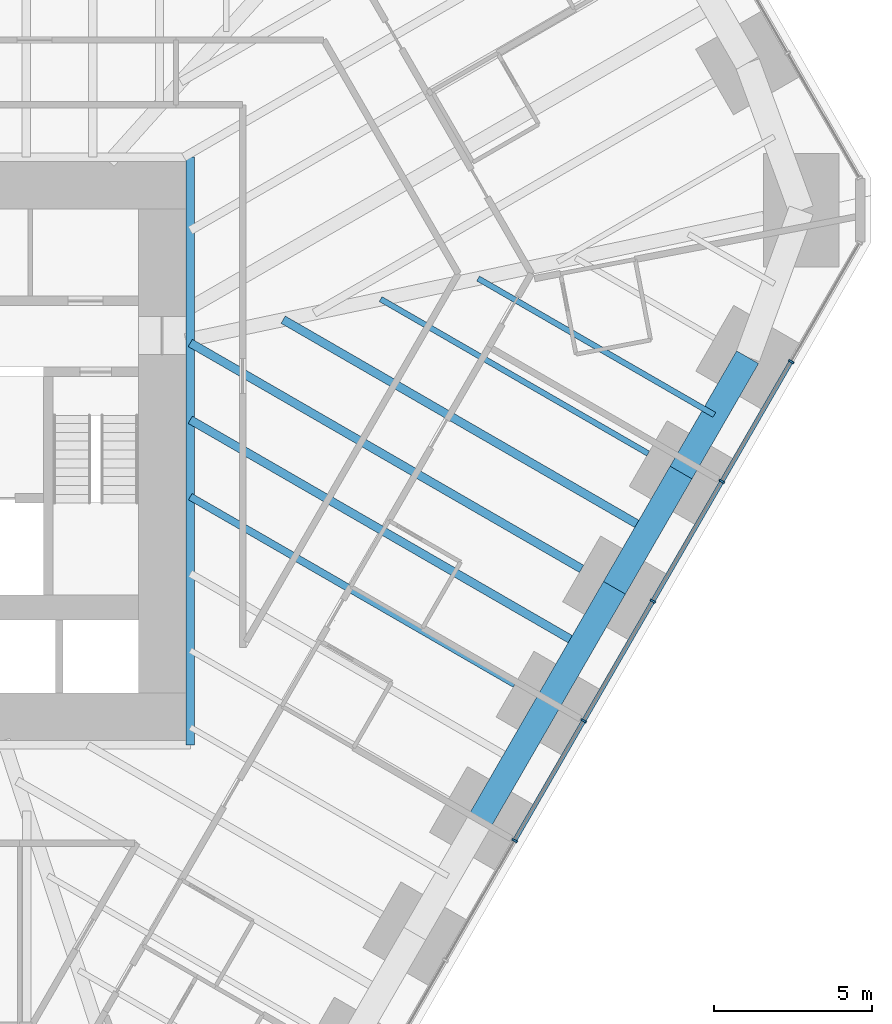
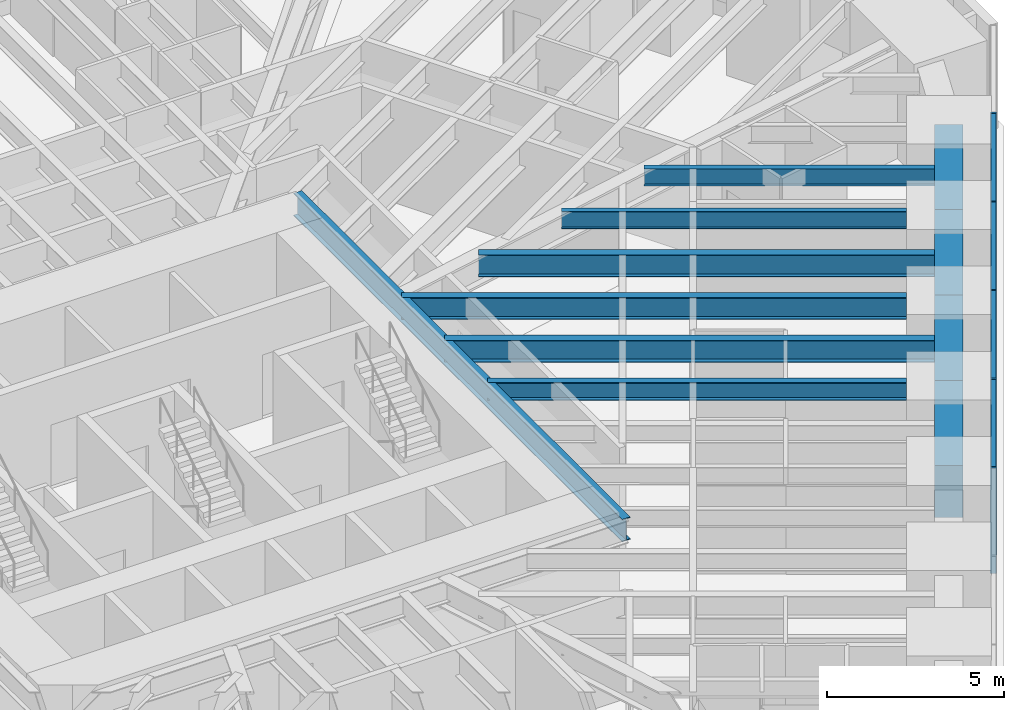
# One storey, part 6 of 17: 11 beams, 9 members, 1 element without a shape of its own.
"""IFC4 building model written with IfcOpenShell, lengths in metres."""

from ifc_helpers import new_model, si_unit, direction, frame, origin, origin_2d, place, context, subcontext, project, spatial, rectangle, i_section, extrude, material, material_profile, profile_set, type_object, element, aggregate, save


model = new_model("IFC4")

# Units and contexts
model_context = context("Model", 3, precision=1e-05, world=origin(), true_north=direction((0.0, 1.0)))
body_context = subcontext(model_context, "Body", "Model", "MODEL_VIEW")
ifc_project = project(units=[si_unit("LENGTHUNIT", "METRE"), si_unit("AREAUNIT", "SQUARE_METRE"), si_unit("VOLUMEUNIT", "CUBIC_METRE"), si_unit("PLANEANGLEUNIT", "RADIAN"), si_unit("MASSUNIT", "GRAM", prefix="KILO")], contexts=[model_context])

# Site, building, storey
site_placement = place(None, origin())
site = spatial("IfcSite", under=ifc_project, at=site_placement, CompositionType="ELEMENT")
building_placement = place(site_placement, origin())
building = spatial("IfcBuilding", under=site, at=building_placement, Name="Sandreach Pilgrim Tower", CompositionType="ELEMENT")
storey_placement = place(building_placement, frame((0.0, 0.0, 26.800048828125)))
storey = spatial("IfcBuildingStorey", under=building, at=storey_placement, Name="L05", CompositionType="ELEMENT", Elevation=26.800048828125)

# Curtain wall, members
ifc_material_1 = material(Name="Aluminium framed curtain wall", Category="aluminium")
curtain_wall_type = type_object("IfcCurtainWallType", Name="Hostel tower curtain wall", PredefinedType="NOTDEFINED", material=ifc_material_1)
curtain_wall_placement = place(storey_placement, origin())
curtain_wall = element("IfcCurtainWall", 1, at=curtain_wall_placement, inside=storey, type_object=curtain_wall_type, Name="CW-1 L05 SE", PredefinedType="NOTDEFINED")
ifc_material_2 = material(Name="Aluminium extrusion", Category="aluminium")
ifc_material_profile_1 = material_profile(ifc_material_2, rectangle(XDim=0.06494140625, YDim=0.179931640625, at=origin_2d()), Name="CW-1M 65X180")
ifc_profile_set_1 = profile_set([ifc_material_profile_1], Name="Aluminium extrusion")
member_type_1 = type_object("IfcMemberType", Name="CW-1 mullion", PredefinedType="MULLION", material=ifc_profile_set_1)
member_1_placement = place(storey_placement, frame((28.390380859375, 1.2763671875, 0.0), z_axis=(0.0, 0.0, 1.0), x_axis=(-0.5, -0.866025403784, 0.0)))
member_1 = element("IfcMember", 2, at=member_1_placement, type_object=member_type_1, Name="CW-1 mullion 2", PredefinedType="MULLION", context=body_context, shape_type="SweptSolid", body=[
    extrude(rectangle(XDim=0.06494140625, YDim=0.179931640625, at=origin_2d()), origin(), (0.0, 0.0, 1.0), 3.639892578125),
])
member_2_placement = place(storey_placement, frame((26.20458984375, -2.509521484375, 0.0), z_axis=(0.0, 0.0, 1.0), x_axis=(-0.5, -0.866025403784, 0.0)))
member_2 = element("IfcMember", 3, at=member_2_placement, type_object=member_type_1, Name="CW-1 mullion 3", PredefinedType="MULLION", context=body_context, shape_type="SweptSolid", body=[
    extrude(rectangle(XDim=0.06494140625, YDim=0.179931640625, at=origin_2d()), origin(), (0.0, 0.0, 1.0), 3.639892578125),
])
member_3_placement = place(storey_placement, frame((24.018798828125, -6.29541015625, 0.0), z_axis=(0.0, 0.0, 1.0), x_axis=(-0.5, -0.866025403784, 0.0)))
member_3 = element("IfcMember", 4, at=member_3_placement, type_object=member_type_1, Name="CW-1 mullion 4", PredefinedType="MULLION", context=body_context, shape_type="SweptSolid", body=[
    extrude(rectangle(XDim=0.06494140625, YDim=0.179931640625, at=origin_2d()), origin(), (0.0, 0.0, 1.0), 3.639892578125),
])
member_4_placement = place(storey_placement, frame((21.8330078125, -10.081298828125, 0.0), z_axis=(0.0, 0.0, 1.0), x_axis=(-0.5, -0.866025403784, 0.0)))
member_4 = element("IfcMember", 5, at=member_4_placement, type_object=member_type_1, Name="CW-1 mullion 5", PredefinedType="MULLION", context=body_context, shape_type="SweptSolid", body=[
    extrude(rectangle(XDim=0.06494140625, YDim=0.179931640625, at=origin_2d()), origin(), (0.0, 0.0, 1.0), 3.639892578125),
])
member_5_placement = place(storey_placement, frame((19.647216796875, -13.8671875, 0.0), z_axis=(0.0, 0.0, 1.0), x_axis=(-0.5, -0.866025403784, 0.0)))
member_5 = element("IfcMember", 6, at=member_5_placement, type_object=member_type_1, Name="CW-1 mullion 6", PredefinedType="MULLION", context=body_context, shape_type="SweptSolid", body=[
    extrude(rectangle(XDim=0.06494140625, YDim=0.179931640625, at=origin_2d()), origin(), (0.0, 0.0, 1.0), 3.639892578125),
])
ifc_material_3 = material(Name="Aluminium extrusion", Category="aluminium")
ifc_material_profile_2 = material_profile(ifc_material_3, rectangle(XDim=0.139892578125, YDim=0.070068359375, at=origin_2d()), Name="CW-1T 140X70")
ifc_profile_set_2 = profile_set([ifc_material_profile_2], Name="Aluminium extrusion")
member_type_2 = type_object("IfcMemberType", Name="CW-1 transom", PredefinedType="USERDEFINED", material=ifc_profile_set_2)
member_6_placement = place(storey_placement, frame((28.374267578125, 1.248046875, 3.60498046875), z_axis=(-0.500016891966, -0.866015650984, 0.0), x_axis=(0.866015650984, -0.500016891966, 0.0)))
member_6 = element("IfcMember", 7, at=member_6_placement, type_object=member_type_2, Name="CW-1 head transom 2", ObjectType="TRANSOM", PredefinedType="USERDEFINED", context=body_context, shape_type="SweptSolid", body=[
    extrude(rectangle(XDim=0.139892578125, YDim=0.070068359375, at=origin_2d()), origin(), (0.0, 0.0, 1.0), 4.306396484375),
])
member_7_placement = place(storey_placement, frame((26.1884765625, -2.537841796875, 3.60498046875), z_axis=(-0.500016891966, -0.866015650984, 0.0), x_axis=(0.866015650984, -0.500016891966, 0.0)))
member_7 = element("IfcMember", 8, at=member_7_placement, type_object=member_type_2, Name="CW-1 head transom 3", ObjectType="TRANSOM", PredefinedType="USERDEFINED", context=body_context, shape_type="SweptSolid", body=[
    extrude(rectangle(XDim=0.139892578125, YDim=0.070068359375, at=origin_2d()), origin(), (0.0, 0.0, 1.0), 4.306396484375),
])
member_8_placement = place(storey_placement, frame((24.002685546875, -6.32373046875, 3.60498046875), z_axis=(-0.500016891966, -0.866015650984, 0.0), x_axis=(0.866015650984, -0.500016891966, 0.0)))
member_8 = element("IfcMember", 9, at=member_8_placement, type_object=member_type_2, Name="CW-1 head transom 4", ObjectType="TRANSOM", PredefinedType="USERDEFINED", context=body_context, shape_type="SweptSolid", body=[
    extrude(rectangle(XDim=0.139892578125, YDim=0.070068359375, at=origin_2d()), origin(), (0.0, 0.0, 1.0), 4.306396484375),
])
member_9_placement = place(storey_placement, frame((21.81689453125, -10.109619140625, 3.60498046875), z_axis=(-0.500016891966, -0.866015650984, 0.0), x_axis=(0.866015650984, -0.500016891966, 0.0)))
member_9 = element("IfcMember", 10, at=member_9_placement, type_object=member_type_2, Name="CW-1 head transom 5", ObjectType="TRANSOM", PredefinedType="USERDEFINED", context=body_context, shape_type="SweptSolid", body=[
    extrude(rectangle(XDim=0.139892578125, YDim=0.070068359375, at=origin_2d()), origin(), (0.0, 0.0, 1.0), 4.306396484375),
])
aggregate(curtain_wall, [member_1, member_2, member_3, member_4, member_5, member_6, member_7, member_8, member_9])

# Beams
ifc_material_4 = material(Name="Steel ASTM A992 Grade 50", Category="steel")
ifc_material_profile_3 = material_profile(ifc_material_4, i_section(OverallWidth=0.2666015625, OverallDepth=0.77978515625, WebThickness=0.0166015625, FlangeThickness=0.030029296875, at=origin_2d()), Name="W30X148")
ifc_profile_set_3 = profile_set([ifc_material_profile_3], Name="Steel ASTM A992 Grade 50")
beam_type_1 = type_object("IfcBeamType", Name="Core edge beam W30X148", PredefinedType="BEAM", material=ifc_profile_set_3)
beam_1_placement = place(storey_placement, frame((9.393310546875, 7.743408203125, 3.25), z_axis=(0.0, -1.0, 0.0), x_axis=(1.0, 0.0, 0.0)))
element("IfcBeam", 11, at=beam_1_placement, inside=storey, type_object=beam_type_1, Name="BM L05 CEE", PredefinedType="BEAM", context=body_context, shape_type="SweptSolid", body=[
    extrude(i_section(OverallWidth=0.2666015625, OverallDepth=0.77978515625, WebThickness=0.0166015625, FlangeThickness=0.030029296875, at=origin_2d()), origin(), (0.0, 0.0, 1.0), 18.586669921875),
])
ifc_material_5 = material(Name="Steel ASTM A992 Grade 50", Category="steel")
ifc_material_profile_4 = material_profile(ifc_material_5, i_section(OverallWidth=0.1787109375, OverallDepth=0.60205078125, WebThickness=0.010986328125, FlangeThickness=0.014892578125, at=origin_2d()), Name="W24X62")
ifc_profile_set_4 = profile_set([ifc_material_profile_4], Name="Steel ASTM A992 Grade 50")
beam_type_2 = type_object("IfcBeamType", Name="Floor beam W24X62", PredefinedType="BEAM", material=ifc_profile_set_4)
beam_2_placement = place(storey_placement, frame((23.8720703125, -1.629638671875, 3.3388671875), z_axis=(-0.866025751498, 0.499999397742, 0.0), x_axis=(-0.499999397742, -0.866025751498, 0.0)))
element("IfcBeam", 12, at=beam_2_placement, inside=storey, type_object=beam_type_2, Name="BM L05 F15", PredefinedType="BEAM", context=body_context, shape_type="SweptSolid", body=[
    extrude(i_section(OverallWidth=0.1787109375, OverallDepth=0.60205078125, WebThickness=0.010986328125, FlangeThickness=0.014892578125, at=origin_2d()), origin(), (0.0, 0.0, 1.0), 9.767578125),
])
beam_3_placement = place(storey_placement, frame((25.9638671875, -0.40673828125, 3.3388671875), z_axis=(-0.866020100198, 0.500009185969, 0.0), x_axis=(-0.500009185969, -0.866020100198, 0.0)))
element("IfcBeam", 13, at=beam_3_placement, inside=storey, type_object=beam_type_2, Name="BM L05 FM14", PredefinedType="BEAM", context=body_context, shape_type="SweptSolid", body=[
    extrude(i_section(OverallWidth=0.1787109375, OverallDepth=0.60205078125, WebThickness=0.010986328125, FlangeThickness=0.014892578125, at=origin_2d()), origin(), (0.0, 0.0, 1.0), 8.623291015625),
])
ifc_material_6 = material(Name="Steel ASTM A992 Grade 50", Category="steel")
ifc_material_profile_5 = material_profile(ifc_material_6, i_section(OverallWidth=0.23046875, OverallDepth=0.6171875, WebThickness=0.01318359375, FlangeThickness=0.022216796875, at=origin_2d()), Name="W24X94")
ifc_profile_set_5 = profile_set([ifc_material_profile_5], Name="Steel ASTM A992 Grade 50")
beam_type_3 = type_object("IfcBeamType", Name="Floor beam W24X94", PredefinedType="BEAM", material=ifc_profile_set_5)
beam_4_placement = place(storey_placement, frame((19.662353515625, -8.92138671875, 3.331298828125), z_axis=(-0.866029924088, 0.499992170523, 0.0), x_axis=(-0.499992170523, -0.866029924088, 0.0)))
element("IfcBeam", 14, at=beam_4_placement, inside=storey, type_object=beam_type_3, Name="BM L05 F17", PredefinedType="BEAM", context=body_context, shape_type="SweptSolid", body=[
    extrude(i_section(OverallWidth=0.23046875, OverallDepth=0.6171875, WebThickness=0.01318359375, FlangeThickness=0.022216796875, at=origin_2d()), origin(), (0.0, 0.0, 1.0), 11.857666015625),
])
ifc_material_7 = material(Name="Steel ASTM A992 Grade 50", Category="steel")
ifc_material_profile_6 = material_profile(ifc_material_7, i_section(OverallWidth=0.2666015625, OverallDepth=0.761962890625, WebThickness=0.014404296875, FlangeThickness=0.021484375, at=origin_2d()), Name="W30X116")
ifc_profile_set_6 = profile_set([ifc_material_profile_6], Name="Steel ASTM A992 Grade 50")
beam_type_4 = type_object("IfcBeamType", Name="Floor beam W30X116", PredefinedType="BEAM", material=ifc_profile_set_6)
beam_5_placement = place(storey_placement, frame((21.76708984375, -5.275390625, 3.259033203125), z_axis=(-0.866024247282, 0.500002003116, 0.0), x_axis=(-0.500002003116, -0.866024247282, 0.0)))
element("IfcBeam", 15, at=beam_5_placement, inside=storey, type_object=beam_type_4, Name="BM L05 F16", PredefinedType="BEAM", context=body_context, shape_type="SweptSolid", body=[
    extrude(i_section(OverallWidth=0.2666015625, OverallDepth=0.761962890625, WebThickness=0.014404296875, FlangeThickness=0.021484375, at=origin_2d()), origin(), (0.0, 0.0, 1.0), 14.2880859375),
])
beam_6_placement = place(storey_placement, frame((23.85888671875, -4.052490234375, 3.259033203125), z_axis=(-0.866029213426, 0.499993401449, 0.0), x_axis=(-0.499993401449, -0.866029213426, 0.0)))
element("IfcBeam", 16, at=beam_6_placement, inside=storey, type_object=beam_type_4, Name="BM L05 FM15", PredefinedType="BEAM", context=body_context, shape_type="SweptSolid", body=[
    extrude(i_section(OverallWidth=0.2666015625, OverallDepth=0.761962890625, WebThickness=0.014404296875, FlangeThickness=0.021484375, at=origin_2d()), origin(), (0.0, 0.0, 1.0), 13.311767578125),
])
beam_7_placement = place(storey_placement, frame((21.75390625, -7.698486328125, 3.259033203125), z_axis=(-0.866022935671, 0.500004274874, 0.0), x_axis=(-0.500004274874, -0.866022935671, 0.0)))
element("IfcBeam", 17, at=beam_7_placement, inside=storey, type_object=beam_type_4, Name="BM L05 FM16", PredefinedType="BEAM", context=body_context, shape_type="SweptSolid", body=[
    extrude(i_section(OverallWidth=0.2666015625, OverallDepth=0.761962890625, WebThickness=0.014404296875, FlangeThickness=0.021484375, at=origin_2d()), origin(), (0.0, 0.0, 1.0), 14.27294921875),
])
ifc_material_8 = material(Name="Concrete 10000 psi", Category="concrete")
ifc_material_profile_7 = material_profile(ifc_material_8, rectangle(XDim=0.800048828125, YDim=1.800048828125, at=origin_2d()), Name="RC800X1800")
ifc_profile_set_7 = profile_set([ifc_material_profile_7], Name="Concrete 10000 psi")
beam_type_5 = type_object("IfcBeamType", Name="Spandrel beam RC800X1800", PredefinedType="SPANDREL", material=ifc_profile_set_7)
beam_8_placement = place(storey_placement, frame((27.016357421875, 1.416259765625, 2.739990234375), z_axis=(-0.499993523031, -0.866029143232, 0.0), x_axis=(0.866029143232, -0.499993523031, 0.0)))
element("IfcBeam", 18, at=beam_8_placement, inside=storey, type_object=beam_type_5, Name="BM L05 SP14", PredefinedType="SPANDREL", context=body_context, shape_type="SweptSolid", body=[
    extrude(rectangle(XDim=0.800048828125, YDim=1.800048828125, at=origin_2d()), origin(), (0.0, 0.0, 1.0), 4.2099609375),
])
beam_9_placement = place(storey_placement, frame((24.911376953125, -2.229736328125, 2.739990234375), z_axis=(-0.50001863446, -0.866014644907, 0.0), x_axis=(0.866014644907, -0.50001863446, 0.0)))
element("IfcBeam", 19, at=beam_9_placement, inside=storey, type_object=beam_type_5, Name="BM L05 SP15", PredefinedType="SPANDREL", context=body_context, shape_type="SweptSolid", body=[
    extrude(rectangle(XDim=0.800048828125, YDim=1.800048828125, at=origin_2d()), origin(), (0.0, 0.0, 1.0), 4.209716796875),
])
beam_10_placement = place(storey_placement, frame((22.806396484375, -5.87548828125, 2.739990234375), z_axis=(-0.499993523031, -0.866029143232, 0.0), x_axis=(0.866029143232, -0.499993523031, 0.0)))
element("IfcBeam", 20, at=beam_10_placement, inside=storey, type_object=beam_type_5, Name="BM L05 SP16", PredefinedType="SPANDREL", context=body_context, shape_type="SweptSolid", body=[
    extrude(rectangle(XDim=0.800048828125, YDim=1.800048828125, at=origin_2d()), origin(), (0.0, 0.0, 1.0), 4.2099609375),
])
beam_11_placement = place(storey_placement, frame((20.701416015625, -9.521484375, 2.739990234375), z_axis=(-0.50001863446, -0.866014644907, 0.0), x_axis=(0.866014644907, -0.50001863446, 0.0)))
element("IfcBeam", 21, at=beam_11_placement, inside=storey, type_object=beam_type_5, Name="BM L05 SP17", PredefinedType="SPANDREL", context=body_context, shape_type="SweptSolid", body=[
    extrude(rectangle(XDim=0.800048828125, YDim=1.800048828125, at=origin_2d()), origin(), (0.0, 0.0, 1.0), 4.209716796875),
])

save(model, "model.ifc")
